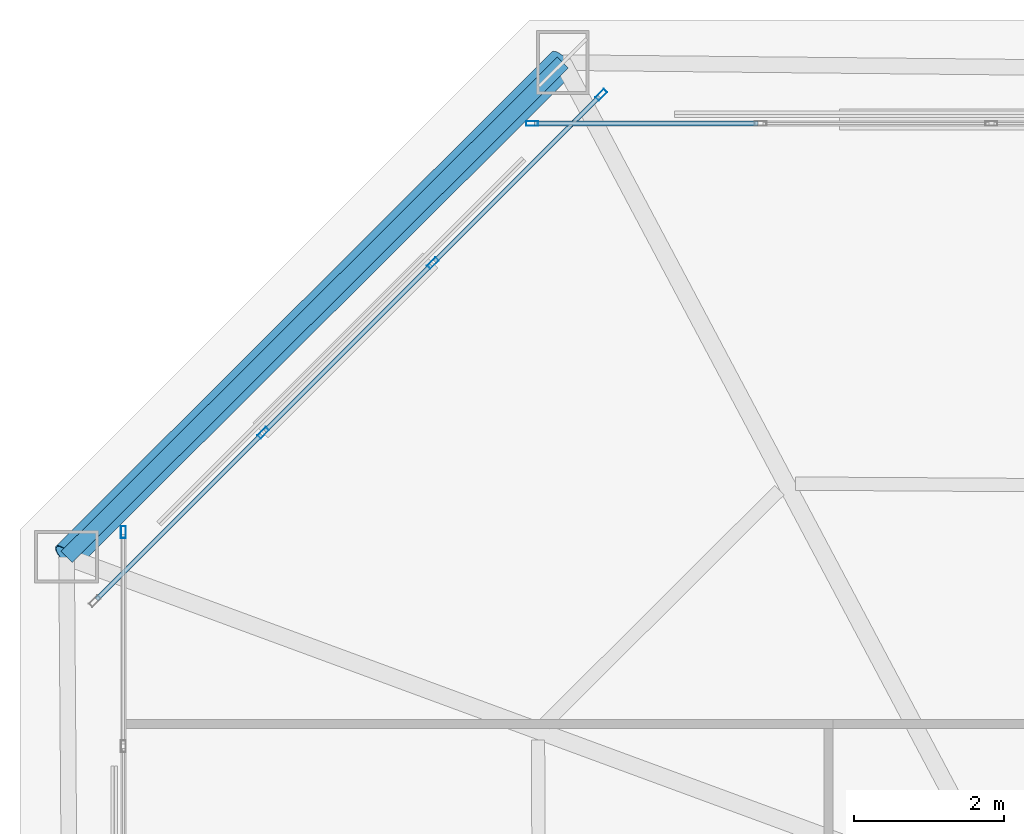
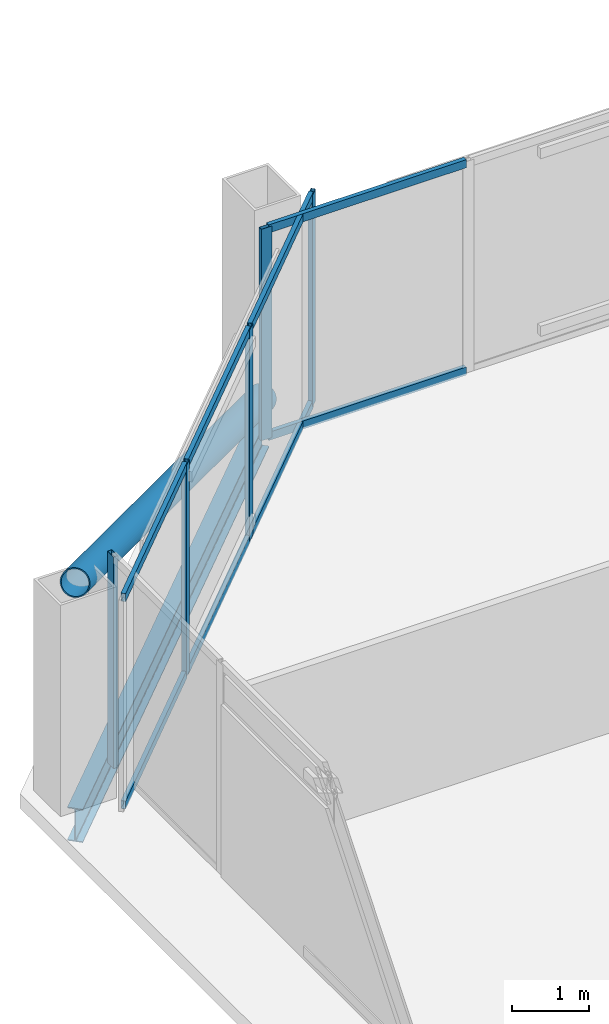
# One storey, part 26 of 39: 14 members, 1 beam, 3 elements without a shape of their own.
"""IFC4 building model written with IfcOpenShell, lengths in metres."""

from ifc_helpers import new_model, si_unit, direction, frame, origin, origin_2d, place, context, subcontext, project, spatial, hollow_rectangle, hollow_circle, i_section, extrude, material, layer, layer_set, material_profile, profile_set, type_object, element, aggregate, save


model = new_model("IFC4")

# Units and contexts
model_context = context("Model", 3, precision=1e-05, world=origin(), true_north=direction((0.0, 1.0)))
body_context = subcontext(model_context, "Body", "Model", "MODEL_VIEW")
ifc_project = project(units=[si_unit("LENGTHUNIT", "METRE"), si_unit("AREAUNIT", "SQUARE_METRE"), si_unit("VOLUMEUNIT", "CUBIC_METRE"), si_unit("PLANEANGLEUNIT", "RADIAN"), si_unit("MASSUNIT", "GRAM", prefix="KILO")], contexts=[model_context])

# Site, building, storey
site_placement = place(None, origin())
site = spatial("IfcSite", under=ifc_project, at=site_placement, CompositionType="ELEMENT")
building_placement = place(site_placement, origin())
building = spatial("IfcBuilding", under=site, at=building_placement, Name="Caelvoria Tower", CompositionType="ELEMENT")
storey_placement = place(building_placement, frame((0.0, 0.0, 198.60009765625)))
storey = spatial("IfcBuildingStorey", under=building, at=storey_placement, Name="L52", CompositionType="ELEMENT", Elevation=198.60009765625)

# Curtain wall, member
ifc_material_1 = material(Name="Anodised Bronze Aluminium and Low-E Glass", Category="aluminium")
ifc_layer = layer(ifc_material_1, 0.175048828125, Name="Anodised Bronze Aluminium and Low-E Glass")
ifc_layer_set = layer_set([ifc_layer], Name="CW System 4 High-Zone Tapered Crystal Facade - Anodised Bronze Aluminium and Low-E Glass")
curtain_wall_type = type_object("IfcCurtainWallType", Name="CW System 4 High-Zone Tapered Crystal Facade", PredefinedType="NOTDEFINED", material=ifc_layer_set)
curtain_wall_1_placement = place(storey_placement, origin())
curtain_wall_1 = element("IfcCurtainWall", 1, at=curtain_wall_1_placement, inside=storey, type_object=curtain_wall_type, Name="CW-04 Curtain Wall L52-E4", PredefinedType="NOTDEFINED")
ifc_material_2 = material(Name="Anodised Bronze Architectural Aluminium", Category="aluminium")
ifc_material_profile_1 = material_profile(ifc_material_2, hollow_rectangle(XDim=0.06494140625, YDim=0.159912109375, WallThickness=0.00390625, at=origin_2d()), Name="Anodised Bronze Architectural Aluminium")
ifc_profile_set_1 = profile_set([ifc_material_profile_1], Name="CW_MULL_65X160 - Anodised Bronze Architectural Aluminium")
member_type_1 = type_object("IfcMemberType", Name="Curtain Wall Mullion 65x160 Bronze Aluminium", PredefinedType="MULLION", material=ifc_profile_set_1)
member_1_placement = place(storey_placement, frame((30.632568359375, 50.419921875, 0.0), z_axis=(0.0, 0.0, 1.0), x_axis=(0.0, -1.0, 0.0)))
member_1 = element("IfcMember", 2, at=member_1_placement, type_object=member_type_1, Name="CW-04 mullion 11", PredefinedType="MULLION", context=body_context, shape_type="SweptSolid", body=[
    extrude(hollow_rectangle(XDim=0.06494140625, YDim=0.159912109375, WallThickness=0.00390625, at=origin_2d()), origin(), (0.0, 0.0, 1.0), 3.375),
])

# Curtain wall, members
curtain_wall_2_placement = place(storey_placement, origin())
curtain_wall_2 = element("IfcCurtainWall", 3, at=curtain_wall_2_placement, inside=storey, type_object=curtain_wall_type, Name="CW-04 Curtain Wall L52-E5", PredefinedType="NOTDEFINED")
member_2_placement = place(storey_placement, frame((31.552734375, 50.80126953125, 0.0), z_axis=(0.0, 0.0, 1.0), x_axis=(0.707106781187, -0.707106781187, 0.0)))
member_2 = element("IfcMember", 4, at=member_2_placement, type_object=member_type_1, Name="CW-04 mullion 1", PredefinedType="MULLION", context=body_context, shape_type="SweptSolid", body=[
    extrude(hollow_rectangle(XDim=0.06494140625, YDim=0.159912109375, WallThickness=0.00390625, at=origin_2d()), origin(), (0.0, 0.0, 1.0), 3.375),
])
member_3_placement = place(storey_placement, frame((29.30908203125, 48.5576171875, 0.0), z_axis=(0.0, 0.0, 1.0), x_axis=(0.707106781187, -0.707106781187, 0.0)))
member_3 = element("IfcMember", 5, at=member_3_placement, type_object=member_type_1, Name="CW-04 mullion 2", PredefinedType="MULLION", context=body_context, shape_type="SweptSolid", body=[
    extrude(hollow_rectangle(XDim=0.06494140625, YDim=0.159912109375, WallThickness=0.00390625, at=origin_2d()), origin(), (0.0, 0.0, 1.0), 3.375),
])
member_4_placement = place(storey_placement, frame((27.04248046875, 46.290771484375, 0.0), z_axis=(0.0, 0.0, 1.0), x_axis=(0.707106781187, -0.707106781187, 0.0)))
member_4 = element("IfcMember", 6, at=member_4_placement, type_object=member_type_1, Name="CW-04 mullion 3", PredefinedType="MULLION", context=body_context, shape_type="SweptSolid", body=[
    extrude(hollow_rectangle(XDim=0.06494140625, YDim=0.159912109375, WallThickness=0.00390625, at=origin_2d()), origin(), (0.0, 0.0, 1.0), 3.375),
])

# Curtain wall, member
curtain_wall_3_placement = place(storey_placement, origin())
curtain_wall_3 = element("IfcCurtainWall", 7, at=curtain_wall_3_placement, inside=storey, type_object=curtain_wall_type, Name="CW-04 Curtain Wall L52-E6", PredefinedType="NOTDEFINED")
member_5_placement = place(storey_placement, frame((25.179931640625, 44.967529296875, 0.0), z_axis=(0.0, 0.0, 1.0), x_axis=(1.0, 0.0, 0.0)))
member_5 = element("IfcMember", 8, at=member_5_placement, type_object=member_type_1, Name="CW-04 mullion 1", PredefinedType="MULLION", context=body_context, shape_type="SweptSolid", body=[
    extrude(hollow_rectangle(XDim=0.06494140625, YDim=0.159912109375, WallThickness=0.00390625, at=origin_2d()), origin(), (0.0, 0.0, 1.0), 3.375),
])
aggregate(curtain_wall_3, [member_5])

# Member
ifc_material_profile_2 = material_profile(ifc_material_2, hollow_rectangle(XDim=0.06494140625, YDim=0.1298828125, WallThickness=0.00341796875, at=origin_2d()), Name="Anodised Bronze Architectural Aluminium")
ifc_profile_set_2 = profile_set([ifc_material_profile_2], Name="CW_TRAN_65X130 - Anodised Bronze Architectural Aluminium")
member_type_2 = type_object("IfcMemberType", Name="Curtain Wall Transom 65x130 Bronze Aluminium", PredefinedType="USERDEFINED", material=ifc_profile_set_2)
member_6_placement = place(storey_placement, frame((33.6474609375, 50.419921875, 0.032470703125), z_axis=(-1.0, 0.0, 0.0), x_axis=(0.0, -1.0, 0.0)))
member_6 = element("IfcMember", 9, at=member_6_placement, type_object=member_type_2, Name="CW-04 transom 10.1", ObjectType="TRANSOM", PredefinedType="USERDEFINED", context=body_context, shape_type="SweptSolid", body=[
    extrude(hollow_rectangle(XDim=0.06494140625, YDim=0.1298828125, WallThickness=0.00341796875, at=origin_2d()), origin(), (0.0, 0.0, 1.0), 2.982421875),
])

member_7_placement = place(storey_placement, frame((33.6474609375, 50.419921875, 3.34228515625), z_axis=(-1.0, 0.0, 0.0), x_axis=(0.0, -1.0, 0.0)))
member_7 = element("IfcMember", 10, at=member_7_placement, type_object=member_type_2, Name="CW-04 transom 10.2", ObjectType="TRANSOM", PredefinedType="USERDEFINED", context=body_context, shape_type="SweptSolid", body=[
    extrude(hollow_rectangle(XDim=0.06494140625, YDim=0.1298828125, WallThickness=0.00341796875, at=origin_2d()), origin(), (0.0, 0.0, 1.0), 2.982421875),
])

aggregate(curtain_wall_1, [member_1, member_6, member_7])

member_8_placement = place(storey_placement, frame((31.52978515625, 50.7783203125, 0.032470703125), z_axis=(-0.707106781187, -0.707106781187, 0.0), x_axis=(0.707106781187, -0.707106781187, 0.0)))
member_8 = element("IfcMember", 11, at=member_8_placement, type_object=member_type_2, Name="CW-04 transom 1.1", ObjectType="TRANSOM", PredefinedType="USERDEFINED", context=body_context, shape_type="SweptSolid", body=[
    extrude(hollow_rectangle(XDim=0.06494140625, YDim=0.1298828125, WallThickness=0.00341796875, at=origin_2d()), origin(), (0.0, 0.0, 1.0), 3.108154296875),
])

member_9_placement = place(storey_placement, frame((31.52978515625, 50.7783203125, 3.34228515625), z_axis=(-0.707106781187, -0.707106781187, 0.0), x_axis=(0.707106781187, -0.707106781187, 0.0)))
member_9 = element("IfcMember", 12, at=member_9_placement, type_object=member_type_2, Name="CW-04 transom 1.2", ObjectType="TRANSOM", PredefinedType="USERDEFINED", context=body_context, shape_type="SweptSolid", body=[
    extrude(hollow_rectangle(XDim=0.06494140625, YDim=0.1298828125, WallThickness=0.00341796875, at=origin_2d()), origin(), (0.0, 0.0, 1.0), 3.108154296875),
])

member_10_placement = place(storey_placement, frame((29.2861328125, 48.53466796875, 0.032470703125), z_axis=(-0.707106781187, -0.707106781187, 0.0), x_axis=(0.707106781187, -0.707106781187, 0.0)))
member_10 = element("IfcMember", 13, at=member_10_placement, type_object=member_type_2, Name="CW-04 transom 2.1", ObjectType="TRANSOM", PredefinedType="USERDEFINED", context=body_context, shape_type="SweptSolid", body=[
    extrude(hollow_rectangle(XDim=0.06494140625, YDim=0.1298828125, WallThickness=0.00341796875, at=origin_2d()), origin(), (0.0, 0.0, 1.0), 3.140625),
])

member_11_placement = place(storey_placement, frame((29.2861328125, 48.53466796875, 3.34228515625), z_axis=(-0.707106781187, -0.707106781187, 0.0), x_axis=(0.707106781187, -0.707106781187, 0.0)))
member_11 = element("IfcMember", 14, at=member_11_placement, type_object=member_type_2, Name="CW-04 transom 2.2", ObjectType="TRANSOM", PredefinedType="USERDEFINED", context=body_context, shape_type="SweptSolid", body=[
    extrude(hollow_rectangle(XDim=0.06494140625, YDim=0.1298828125, WallThickness=0.00341796875, at=origin_2d()), origin(), (0.0, 0.0, 1.0), 3.140625),
])

member_12_placement = place(storey_placement, frame((27.01953125, 46.267822265625, 0.032470703125), z_axis=(-0.707106781187, -0.707106781187, 0.0), x_axis=(0.707106781187, -0.707106781187, 0.0)))
member_12 = element("IfcMember", 15, at=member_12_placement, type_object=member_type_2, Name="CW-04 transom 3.1", ObjectType="TRANSOM", PredefinedType="USERDEFINED", context=body_context, shape_type="SweptSolid", body=[
    extrude(hollow_rectangle(XDim=0.06494140625, YDim=0.1298828125, WallThickness=0.00341796875, at=origin_2d()), origin(), (0.0, 0.0, 1.0), 3.108154296875),
])

member_13_placement = place(storey_placement, frame((27.01953125, 46.267822265625, 3.34228515625), z_axis=(-0.707106781187, -0.707106781187, 0.0), x_axis=(0.707106781187, -0.707106781187, 0.0)))
member_13 = element("IfcMember", 16, at=member_13_placement, type_object=member_type_2, Name="CW-04 transom 3.2", ObjectType="TRANSOM", PredefinedType="USERDEFINED", context=body_context, shape_type="SweptSolid", body=[
    extrude(hollow_rectangle(XDim=0.06494140625, YDim=0.1298828125, WallThickness=0.00341796875, at=origin_2d()), origin(), (0.0, 0.0, 1.0), 3.108154296875),
])

aggregate(curtain_wall_2, [member_2, member_3, member_4, member_8, member_9, member_10, member_11, member_12, member_13])

ifc_material_3 = material(Name="Structural Steel ASTM A572 Gr.50", Category="steel")
ifc_material_profile_3 = material_profile(ifc_material_3, hollow_circle(Radius=0.202880859375, WallThickness=0.01611328125, at=origin_2d()), Name="Structural Steel ASTM A572 Gr.50")
ifc_profile_set_3 = profile_set([ifc_material_profile_3], Name="CHS406X16 - Structural Steel ASTM A572 Gr.50")
member_type_3 = type_object("IfcMemberType", Name="Upper Perimeter Mega Brace CHS406X16", PredefinedType="BRACE", material=ifc_profile_set_3)
member_14_placement = place(storey_placement, frame((31.0419921875, 51.231689453125, 0.0), z_axis=(-0.666328317431, -0.663797459082, 0.339675590389), x_axis=(0.705760076664, -0.708450925744, 0.0)))
element("IfcMember", 17, at=member_14_placement, inside=storey, type_object=member_type_3, Name="Perimeter Chamfer Mega Brace L52 NW", PredefinedType="BRACE", context=body_context, shape_type="SweptSolid", body=[
    extrude(hollow_circle(Radius=0.202880859375, WallThickness=0.01611328125, at=origin_2d()), origin(), (0.0, 0.0, 1.0), 9.93603515625),
])

# Beam
ifc_material_4 = material(Name="Structural Steel ASTM A992 Gr.50", Category="steel")
ifc_material_profile_4 = material_profile(ifc_material_4, i_section(OverallWidth=0.208984375, OverallDepth=0.532958984375, WebThickness=0.01025390625, FlangeThickness=0.015625, FilletRadius=0.01611328125, at=origin_2d()), Name="Structural Steel ASTM A992 Gr.50")
ifc_profile_set_4 = profile_set([ifc_material_profile_4], Name="W530X92 - Structural Steel ASTM A992 Gr.50")
beam_type = type_object("IfcBeamType", Name="Upper Zone Spandrel W530X92", PredefinedType="BEAM", material=ifc_profile_set_4)
beam_placement = place(storey_placement, frame((31.0419921875, 51.231689453125, -0.49169921875), z_axis=(-0.708450925744, -0.705760076664, 0.0), x_axis=(0.705760076664, -0.708450925744, 0.0)))
element("IfcBeam", 18, at=beam_placement, inside=storey, type_object=beam_type, Name="Perimeter Spandrel Girder L52-08", PredefinedType="BEAM", context=body_context, shape_type="SweptSolid", body=[
    extrude(i_section(OverallWidth=0.208984375, OverallDepth=0.532958984375, WebThickness=0.01025390625, FlangeThickness=0.015625, FilletRadius=0.01611328125, at=origin_2d()), origin(), (0.0, 0.0, 1.0), 9.34521484375),
])

save(model, "model.ifc")
